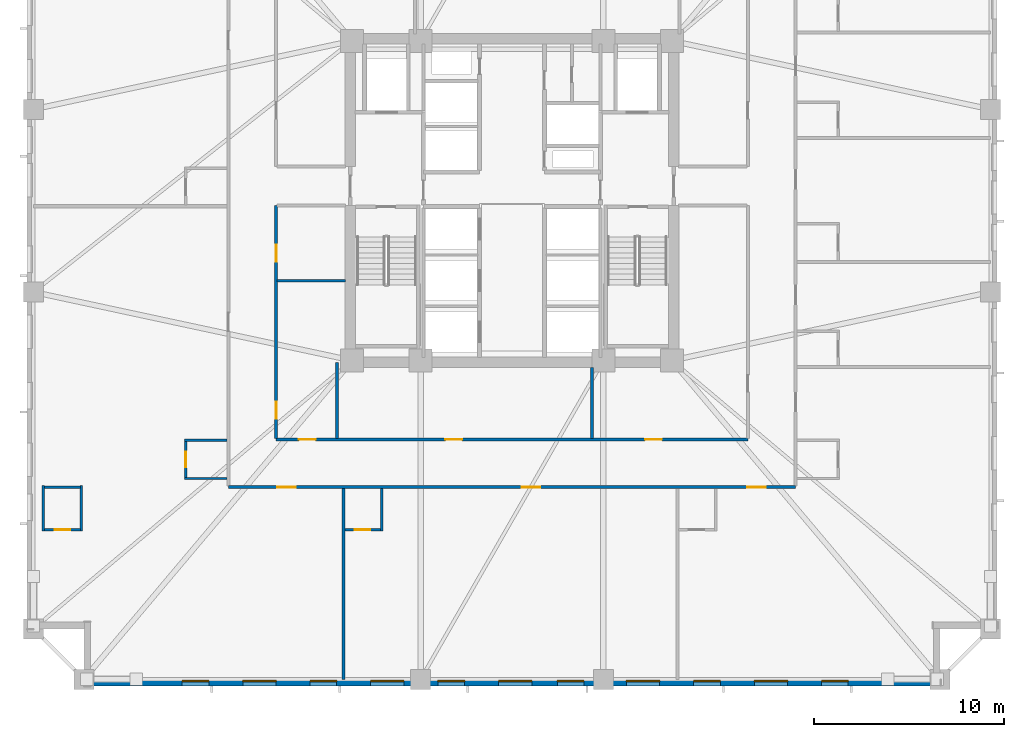
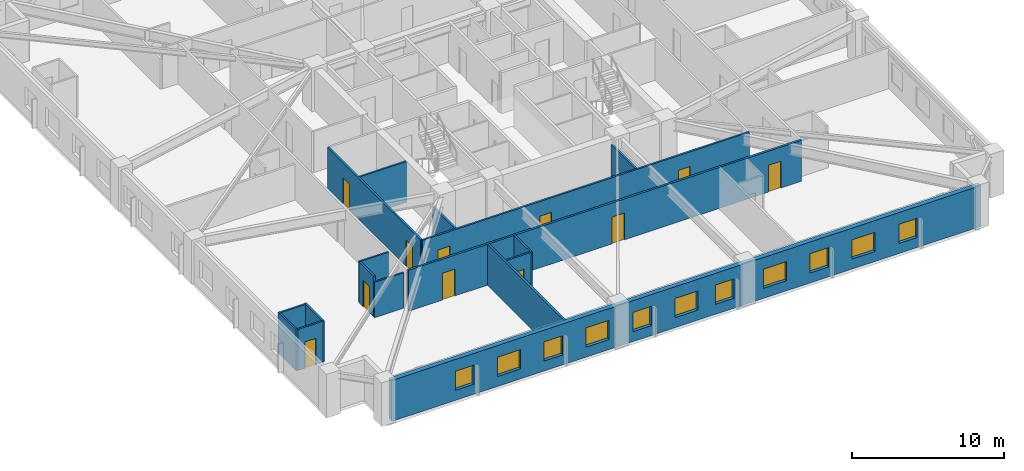
# One storey, part 2 of 12: 17 walls, 11 doors, 11 windows, 22 openings.
"""IFC4 building model written with IfcOpenShell, lengths in metres."""

import ifcopenshell
import ifcopenshell.guid

model = None  # the IFC model being written
_history = None  # IfcOwnerHistory: only IFC2X3 demands one
_inside = {}  # id of a spatial element -> (the spatial element, [elements in it])
_under = {}  # id of a project, library or spatial element -> (it, [spatial elements below it])
_declared = {}  # id of a project -> (the project, [libraries it declares])
_typed = {}  # id of a type object -> (the type object, [elements of that type])
_made_of = {}  # id of a material, layer set ... -> (it, [elements and type objects made of it])


def new_model(schema):
    """Start an empty IFC model of exactly this schema.

    Asked for "IFC4X3", IfcOpenShell would pick the latest addendum, in which some entities
    have other attributes; the version numbers below select the first issue.
    IFC2X3 requires an IfcOwnerHistory on every rooted entity: one is made here for all.
    """
    global model, _history
    if schema == "IFC4X3":
        model = ifcopenshell.file(schema_version=(4, 3, 0, 0))
    else:
        model = ifcopenshell.file(schema=schema)
    _inside.clear()
    _under.clear()
    _declared.clear()
    _typed.clear()
    _made_of.clear()
    _history = None
    if model.schema == "IFC2X3":
        org = make("IfcOrganization", Name="unknown")
        user = make(
            "IfcPersonAndOrganization",
            ThePerson=make("IfcPerson", FamilyName="unknown"),
            TheOrganization=org,
        )
        app = make(
            "IfcApplication",
            ApplicationDeveloper=org,
            Version="unknown",
            ApplicationFullName="unknown",
            ApplicationIdentifier="unknown",
        )
        _history = make(
            "IfcOwnerHistory",
            OwningUser=user,
            OwningApplication=app,
            ChangeAction="ADDED",
            CreationDate=0,
        )
    return model


def make(cls, **values):
    """One entity of the class cls with the attributes given. An attribute that is None is left unset."""
    return model.create_entity(
        cls, **{name: value for name, value in values.items() if value is not None}
    )


def rooted(cls, **values):
    """An entity with a GlobalId (a new one), such as an element, a storey or a relation."""
    return make(cls, GlobalId=ifcopenshell.guid.new(), OwnerHistory=_history, **values)


def si_unit(unit_type, name, prefix=None):
    """IfcSIUnit, for example si_unit("LENGTHUNIT", "METRE", prefix="MILLI")."""
    return make("IfcSIUnit", UnitType=unit_type, Prefix=prefix, Name=name)


def assignment(units):
    """IfcUnitAssignment: the units of a project."""
    return None if units is None else make("IfcUnitAssignment", Units=units)


def point(xyz):
    """IfcCartesianPoint."""
    return None if xyz is None else make("IfcCartesianPoint", Coordinates=xyz)


def direction(xyz):
    """IfcDirection."""
    return None if xyz is None else make("IfcDirection", DirectionRatios=xyz)


def frame(location, z_axis=None, x_axis=None):
    """IfcAxis2Placement3D, a coordinate frame: its origin and axes. An axis left out is left unset."""
    return make(
        "IfcAxis2Placement3D",
        Location=point(location),
        Axis=direction(z_axis),
        RefDirection=direction(x_axis),
    )


def frame_2d(location, x_axis=None):
    """IfcAxis2Placement2D, a coordinate frame in the plane: its origin and x axis."""
    return make(
        "IfcAxis2Placement2D", Location=point(location), RefDirection=direction(x_axis)
    )


def origin():
    """The frame at (0, 0, 0) with its axes left unset."""
    return frame((0.0, 0.0, 0.0))


def place(relative_to, where):
    """IfcLocalPlacement: puts the frame where relative to a parent placement (None: the world)."""
    return make(
        "IfcLocalPlacement", PlacementRelTo=relative_to, RelativePlacement=where
    )


def context(
    kind, dimensions, precision=None, world=None, true_north=None, identifier=None
):
    """IfcGeometricRepresentationContext, for example the 3D "Model" context."""
    return make(
        "IfcGeometricRepresentationContext",
        ContextIdentifier=identifier,
        ContextType=kind,
        CoordinateSpaceDimension=dimensions,
        Precision=precision,
        WorldCoordinateSystem=world,
        TrueNorth=true_north,
    )


def subcontext(parent, identifier, kind, view, scale=None):
    """IfcGeometricRepresentationSubContext, for example "Body" below "Model"."""
    return make(
        "IfcGeometricRepresentationSubContext",
        ContextIdentifier=identifier,
        ContextType=kind,
        ParentContext=parent,
        TargetScale=scale,
        TargetView=view,
    )


def project(units=None, contexts=None):
    """IfcProject with its units and contexts."""
    return rooted(
        "IfcProject",
        Name="project",
        RepresentationContexts=contexts,
        UnitsInContext=assignment(units),
    )


def spatial(cls, under=None, at=None, **own):
    """A site, building, storey or space (cls), placed at a placement, below another one or the project."""
    s = rooted(cls, ObjectPlacement=at, **own)
    if under is not None:
        _under.setdefault(under.id(), (under, []))[1].append(s)
    return s


def profile(cls, at=None, kind="AREA", **sizes):
    """A parametric profile (cls). Its sizes go by their IFC names, for example OverallWidth=200.0."""
    return make(cls, ProfileType=kind, Position=at, **sizes)


def rectangle(**sizes):
    """IfcRectangleProfileDef."""
    return profile("IfcRectangleProfileDef", **sizes)


def extrude(swept, where, along, depth):
    """IfcExtrudedAreaSolid: the profile swept, set in the frame where, extruded along a direction by depth."""
    return make(
        "IfcExtrudedAreaSolid",
        SweptArea=swept,
        Position=where,
        ExtrudedDirection=direction(along),
        Depth=depth,
    )


def shape(context_of_items, identifier, shape_type, items):
    """IfcShapeRepresentation: the items that make up one representation, for example the "Body"."""
    return make(
        "IfcShapeRepresentation",
        ContextOfItems=context_of_items,
        RepresentationIdentifier=identifier,
        RepresentationType=shape_type,
        Items=items,
    )


def material(Name=None, Category=None):
    """IfcMaterial."""
    return make("IfcMaterial", Name=Name, Category=Category)


def layer(
    of_material, thickness, ventilated=None, Name=None, Category=None, Priority=None
):
    """IfcMaterialLayer: one layer of a wall or slab, of a material (None: an air gap)."""
    return make(
        "IfcMaterialLayer",
        Material=of_material,
        LayerThickness=thickness,
        IsVentilated=ventilated,
        Name=Name,
        Category=Category,
        Priority=Priority,
    )


def layer_set(layers, Name=None):
    """IfcMaterialLayerSet."""
    return make("IfcMaterialLayerSet", MaterialLayers=layers, LayerSetName=Name)


def made_of(thing, what):
    """Note that an element or type object is made of a material, layer set ...; save() writes the relation."""
    if what is not None:
        _made_of.setdefault(what.id(), (what, []))[1].append(thing)
    return thing


def type_object(cls, material=None, **own):
    """A type object (cls), such as IfcWallType, which elements share."""
    return made_of(rooted(cls, **own), material)


def element(
    cls,
    number,
    at=None,
    inside=None,
    cuts=None,
    type_object=None,
    material=None,
    context=None,
    identifier="Body",
    shape_type=None,
    held_by="IfcProductDefinitionShape",
    body=None,
    shapes=None,
    **own,
):
    """One element of the class cls, such as IfcWall. Its Tag is "e" and its number.

    at: its placement. inside: the storey or other place that contains it. cuts: it is an
    opening in that element (IfcRelVoidsElement). A single representation is given by context,
    identifier, shape_type and body (its items); several are given by shapes. held_by: the class
    of the entity that holds the representations. save() writes the other relations.
    """
    e = rooted(cls, Tag="e%d" % number, ObjectPlacement=at, **own)
    if body is not None:
        shapes = [shape(context, identifier, shape_type, body)]
    if shapes is not None:
        e.Representation = make(held_by, Representations=shapes)
    if inside is not None:
        _inside.setdefault(inside.id(), (inside, []))[1].append(e)
    if cuts is not None:
        rooted(
            "IfcRelVoidsElement", RelatingBuildingElement=cuts, RelatedOpeningElement=e
        )
    if type_object is not None:
        _typed.setdefault(type_object.id(), (type_object, []))[1].append(e)
    return made_of(e, material)


def fill(opening, filler):
    """IfcRelFillsElement: the door or window that sits in an opening."""
    return rooted(
        "IfcRelFillsElement",
        RelatingOpeningElement=opening,
        RelatedBuildingElement=filler,
    )


def aggregate(whole, parts):
    """IfcRelAggregates: a whole, such as a stair, and the parts it consists of."""
    return rooted("IfcRelAggregates", RelatingObject=whole, RelatedObjects=parts)


def save(model, path):
    """Write the relations noted so far, then the file.

    IfcRelAggregates (storeys below a building ...), IfcRelContainedInSpatialStructure (elements
    in a storey), IfcRelDefinesByType, IfcRelAssociatesMaterial and IfcRelDeclares: one each for
    every whole, place, type object, material and project.
    """
    for whole, parts in _under.values():
        aggregate(whole, parts)
    for where, things in _inside.values():
        rooted(
            "IfcRelContainedInSpatialStructure",
            RelatedElements=things,
            RelatingStructure=where,
        )
    for kind, things in _typed.values():
        rooted("IfcRelDefinesByType", RelatedObjects=things, RelatingType=kind)
    for what, things in _made_of.values():
        rooted("IfcRelAssociatesMaterial", RelatedObjects=things, RelatingMaterial=what)
    for by, libraries in _declared.values():
        rooted("IfcRelDeclares", RelatingContext=by, RelatedDefinitions=libraries)
    model.write(path)


model = new_model("IFC4")

# Units and contexts
model_context = context("Model", 3, precision=1e-05, world=origin(), true_north=direction((0.0, 1.0)))
body_context = subcontext(model_context, "Body", "Model", "MODEL_VIEW")
ifc_project = project(units=[si_unit("LENGTHUNIT", "METRE"), si_unit("AREAUNIT", "SQUARE_METRE"), si_unit("VOLUMEUNIT", "CUBIC_METRE"), si_unit("PLANEANGLEUNIT", "RADIAN"), si_unit("MASSUNIT", "GRAM", prefix="KILO")], contexts=[model_context])

# Site, building, storey
site_placement = place(None, origin())
site = spatial("IfcSite", under=ifc_project, at=site_placement, CompositionType="ELEMENT")
building_placement = place(site_placement, origin())
building = spatial("IfcBuilding", under=site, at=building_placement, Name="Cairnveth Concourse Tower", CompositionType="ELEMENT")
storey_placement = place(building_placement, frame((0.0, 0.0, 90.0)))
storey = spatial("IfcBuildingStorey", under=building, at=storey_placement, Name="L24", CompositionType="ELEMENT", Elevation=90.0)

# Wall, openings, doors
ifc_material_1 = material(Name="Gypsum Plasterboard Partition", Category="gypsum")
ifc_layer_1 = layer(ifc_material_1, 0.159912109375)
ifc_layer_set_1 = layer_set([ifc_layer_1], Name="Gypsum Plasterboard Partition")
wall_type_1 = type_object("IfcWallType", Name="ACOUSTIC PARTY WALL 180", PredefinedType="PARTITIONING", material=ifc_layer_set_1)
wall_1_placement = place(storey_placement, frame((37.10009765625, 23.949951171875, 0.0), z_axis=(0.0, 0.0, 1.0), x_axis=(1.0, 0.0, 0.0)))
wall_1 = element("IfcWall", 1, at=wall_1_placement, inside=storey, type_object=wall_type_1, Name="Interior Wall IW-L24-038", PredefinedType="PARTITIONING", context=body_context, shape_type="SweptSolid", body=[
    extrude(rectangle(XDim=29.7998046875, YDim=0.159912109375, at=frame_2d((14.89990234375, 0.0))), origin(), (0.0, 0.0, 1.0), 3.280029296875),
])
opening_1_placement = place(wall_1_placement, frame((2.5712890625, 0.0, 0.0)))
opening_1 = element("IfcOpeningElement", 2, at=opening_1_placement, cuts=wall_1, Name="Opening ID09", PredefinedType="OPENING", context=body_context, shape_type="SweptSolid", body=[
    extrude(rectangle(XDim=0.9599609375, YDim=2.14990234375, at=frame_2d((0.47998046875, 1.074951171875))), frame((0.0, 0.08984375, 0.0), z_axis=(0.0, -1.0, 0.0), x_axis=(1.0, 0.0, 0.0)), (0.0, 0.0, 1.0), 0.179931640625),
])
opening_2_placement = place(wall_1_placement, frame((15.419921875, 0.0, 0.0)))
opening_2 = element("IfcOpeningElement", 3, at=opening_2_placement, cuts=wall_1, Name="Opening ID09", PredefinedType="OPENING", context=body_context, shape_type="SweptSolid", body=[
    extrude(rectangle(XDim=0.9599609375, YDim=2.14990234375, at=frame_2d((0.47998046875, 1.074951171875))), frame((0.0, 0.08984375, 0.0), z_axis=(0.0, -1.0, 0.0), x_axis=(1.0, 0.0, 0.0)), (0.0, 0.0, 1.0), 0.179931640625),
])
opening_3_placement = place(wall_1_placement, frame((27.268798828125, 0.0, 0.0)))
opening_3 = element("IfcOpeningElement", 4, at=opening_3_placement, cuts=wall_1, Name="Opening ID09", PredefinedType="OPENING", context=body_context, shape_type="SweptSolid", body=[
    extrude(rectangle(XDim=0.9599609375, YDim=2.14990234375, at=frame_2d((0.47998046875, 1.074951171875))), frame((0.0, 0.08984375, 0.0), z_axis=(0.0, -1.0, 0.0), x_axis=(1.0, 0.0, 0.0)), (0.0, 0.0, 1.0), 0.179931640625),
])
ifc_material_2 = material(Name="Solid Core Hardwood Timber Leaf", Category="wood")
door_type_1 = type_object("IfcDoorType", Name="HOTEL ENTRANCE DOOR 960X2150", OperationType="NOTDEFINED", PredefinedType="DOOR", material=ifc_material_2)
door_1_placement = place(opening_1_placement, origin())
door_1 = element("IfcDoor", 5, at=door_1_placement, inside=storey, type_object=door_type_1, Name="Hotel Room Door L24-S1", OperationType="SINGLE_SWING_RIGHT", OverallHeight=2.14990234375, OverallWidth=0.9599609375, PredefinedType="DOOR", context=body_context, shape_type="SweptSolid", body=[
    extrude(rectangle(XDim=0.9599609375, YDim=2.14990234375, at=frame_2d((0.47998046875, 1.074951171875))), frame((0.0, 0.02490234375, 0.0), z_axis=(0.0, -1.0, 0.0), x_axis=(1.0, 0.0, 0.0)), (0.0, 0.0, 1.0), 0.050048828125),
])
fill(opening_1, door_1)
door_2_placement = place(opening_2_placement, origin())
door_2 = element("IfcDoor", 6, at=door_2_placement, inside=storey, type_object=door_type_1, Name="Hotel Room Door L24-S2", OperationType="SINGLE_SWING_RIGHT", OverallHeight=2.14990234375, OverallWidth=0.9599609375, PredefinedType="DOOR", context=body_context, shape_type="SweptSolid", body=[
    extrude(rectangle(XDim=0.9599609375, YDim=2.14990234375, at=frame_2d((0.47998046875, 1.074951171875))), frame((0.0, 0.02490234375, 0.0), z_axis=(0.0, -1.0, 0.0), x_axis=(1.0, 0.0, 0.0)), (0.0, 0.0, 1.0), 0.050048828125),
])
fill(opening_2, door_2)
door_3_placement = place(opening_3_placement, origin())
door_3 = element("IfcDoor", 7, at=door_3_placement, inside=storey, type_object=door_type_1, Name="Hotel Room Door L24-S3", OperationType="SINGLE_SWING_RIGHT", OverallHeight=2.14990234375, OverallWidth=0.9599609375, PredefinedType="DOOR", context=body_context, shape_type="SweptSolid", body=[
    extrude(rectangle(XDim=0.9599609375, YDim=2.14990234375, at=frame_2d((0.47998046875, 1.074951171875))), frame((0.0, 0.02490234375, 0.0), z_axis=(0.0, -1.0, 0.0), x_axis=(1.0, 0.0, 0.0)), (0.0, 0.0, 1.0), 0.050048828125),
])
fill(opening_3, door_3)

# Wall
wall_2_placement = place(storey_placement, frame((43.152587890625, 13.844970703125, 0.0), z_axis=(0.0, 0.0, 1.0), x_axis=(0.0, 1.0, 0.0)))
element("IfcWall", 8, at=wall_2_placement, inside=storey, type_object=wall_type_1, Name="Interior Wall IW-L24-061", PredefinedType="PARTITIONING", context=body_context, shape_type="SweptSolid", body=[
    extrude(rectangle(XDim=10.0400390625, YDim=0.159912109375, at=frame_2d((5.02001953125, 0.0))), origin(), (0.0, 0.0, 1.0), 3.280029296875),
])

# Wall, openings, doors
ifc_layer_2 = layer(ifc_material_1, 0.139892578125)
ifc_layer_set_2 = layer_set([ifc_layer_2], Name="Gypsum Plasterboard Partition")
wall_type_2 = type_object("IfcWallType", Name="GYPSUM STUD PARTITION 140", PredefinedType="PARTITIONING", material=ifc_layer_set_2)
wall_3_placement = place(storey_placement, frame((39.60009765625, 26.449951171875, 0.0), z_axis=(0.0, 0.0, 1.0), x_axis=(1.0, 0.0, 0.0)))
wall_3 = element("IfcWall", 9, at=wall_3_placement, inside=storey, type_object=wall_type_2, Name="Interior Wall IW-L24-042", PredefinedType="PARTITIONING", context=body_context, shape_type="SweptSolid", body=[
    extrude(rectangle(XDim=24.7998046875, YDim=0.139892578125, at=frame_2d((12.39990234375, 0.0))), origin(), (0.0, 0.0, 1.0), 3.280029296875),
])
opening_4_placement = place(wall_3_placement, frame((1.199951171875, 0.0, 0.0)))
opening_4 = element("IfcOpeningElement", 10, at=opening_4_placement, cuts=wall_3, Name="Opening ID18", PredefinedType="OPENING", context=body_context, shape_type="SweptSolid", body=[
    extrude(rectangle(XDim=0.8798828125, YDim=2.10009765625, at=frame_2d((0.43994140625, 1.050048828125))), frame((0.0, 0.079833984375, 0.0), z_axis=(0.0, -1.0, 0.0), x_axis=(1.0, 0.0, 0.0)), (0.0, 0.0, 1.0), 0.159912109375),
])
opening_5_placement = place(wall_3_placement, frame((8.89990234375, 0.0, 0.0)))
opening_5 = element("IfcOpeningElement", 11, at=opening_5_placement, cuts=wall_3, Name="Opening ID18", PredefinedType="OPENING", context=body_context, shape_type="SweptSolid", body=[
    extrude(rectangle(XDim=0.8798828125, YDim=2.10009765625, at=frame_2d((0.43994140625, 1.050048828125))), frame((0.0, 0.079833984375, 0.0), z_axis=(0.0, -1.0, 0.0), x_axis=(1.0, 0.0, 0.0)), (0.0, 0.0, 1.0), 0.159912109375),
])
opening_6_placement = place(wall_3_placement, frame((19.39990234375, 0.0, 0.0)))
opening_6 = element("IfcOpeningElement", 12, at=opening_6_placement, cuts=wall_3, Name="Opening ID18", PredefinedType="OPENING", context=body_context, shape_type="SweptSolid", body=[
    extrude(rectangle(XDim=0.8798828125, YDim=2.10009765625, at=frame_2d((0.43994140625, 1.050048828125))), frame((0.0, 0.079833984375, 0.0), z_axis=(0.0, -1.0, 0.0), x_axis=(1.0, 0.0, 0.0)), (0.0, 0.0, 1.0), 0.159912109375),
])
door_type_2 = type_object("IfcDoorType", Name="INTERIOR SINGLE DOOR 880X2100", OperationType="NOTDEFINED", PredefinedType="DOOR", material=ifc_material_2)
door_4_placement = place(opening_4_placement, origin())
door_4 = element("IfcDoor", 13, at=door_4_placement, inside=storey, type_object=door_type_2, Name="Interior Door DR-L24-014", OperationType="SINGLE_SWING_RIGHT", OverallHeight=2.10009765625, OverallWidth=0.8798828125, PredefinedType="DOOR", context=body_context, shape_type="SweptSolid", body=[
    extrude(rectangle(XDim=0.8798828125, YDim=2.10009765625, at=frame_2d((0.43994140625, 1.050048828125))), frame((0.0, 0.02490234375, 0.0), z_axis=(0.0, -1.0, 0.0), x_axis=(1.0, 0.0, 0.0)), (0.0, 0.0, 1.0), 0.050048828125),
])
fill(opening_4, door_4)
door_5_placement = place(opening_5_placement, origin())
door_5 = element("IfcDoor", 14, at=door_5_placement, inside=storey, type_object=door_type_2, Name="Interior Door DR-L24-015", OperationType="SINGLE_SWING_LEFT", OverallHeight=2.10009765625, OverallWidth=0.8798828125, PredefinedType="DOOR", context=body_context, shape_type="SweptSolid", body=[
    extrude(rectangle(XDim=0.8798828125, YDim=2.10009765625, at=frame_2d((0.43994140625, 1.050048828125))), frame((0.0, 0.02490234375, 0.0), z_axis=(0.0, -1.0, 0.0), x_axis=(1.0, 0.0, 0.0)), (0.0, 0.0, 1.0), 0.050048828125),
])
fill(opening_5, door_5)
door_6_placement = place(opening_6_placement, origin())
door_6 = element("IfcDoor", 15, at=door_6_placement, inside=storey, type_object=door_type_2, Name="Interior Door DR-L24-016", OperationType="SINGLE_SWING_RIGHT", OverallHeight=2.10009765625, OverallWidth=0.8798828125, PredefinedType="DOOR", context=body_context, shape_type="SweptSolid", body=[
    extrude(rectangle(XDim=0.8798828125, YDim=2.10009765625, at=frame_2d((0.43994140625, 1.050048828125))), frame((0.0, 0.02490234375, 0.0), z_axis=(0.0, -1.0, 0.0), x_axis=(1.0, 0.0, 0.0)), (0.0, 0.0, 1.0), 0.050048828125),
])
fill(opening_6, door_6)

wall_4_placement = place(storey_placement, frame((39.60009765625, 26.5048828125, 0.0), z_axis=(0.0, 0.0, 1.0), x_axis=(0.0, 1.0, 0.0)))
wall_4 = element("IfcWall", 16, at=wall_4_placement, inside=storey, type_object=wall_type_2, Name="Interior Wall IW-L24-044", PredefinedType="PARTITIONING", context=body_context, shape_type="SweptSolid", body=[
    extrude(rectangle(XDim=12.2451171875, YDim=0.139892578125, at=frame_2d((6.12255859375, 0.0))), origin(), (0.0, 0.0, 1.0), 3.280029296875),
])
opening_7_placement = place(wall_4_placement, frame((1.044921875, 0.0, 0.0)))
opening_7 = element("IfcOpeningElement", 17, at=opening_7_placement, cuts=wall_4, Name="Opening ID18", PredefinedType="OPENING", context=body_context, shape_type="SweptSolid", body=[
    extrude(rectangle(XDim=0.8798828125, YDim=2.10009765625, at=frame_2d((0.43994140625, 1.050048828125))), frame((0.0, 0.079833984375, 0.0), z_axis=(0.0, -1.0, 0.0), x_axis=(1.0, 0.0, 0.0)), (0.0, 0.0, 1.0), 0.159912109375),
])
opening_8_placement = place(wall_4_placement, frame((9.294921875, 0.0, 0.0)))
opening_8 = element("IfcOpeningElement", 18, at=opening_8_placement, cuts=wall_4, Name="Opening ID18", PredefinedType="OPENING", context=body_context, shape_type="SweptSolid", body=[
    extrude(rectangle(XDim=0.8798828125, YDim=2.10009765625, at=frame_2d((0.43994140625, 1.050048828125))), frame((0.0, 0.079833984375, 0.0), z_axis=(0.0, -1.0, 0.0), x_axis=(1.0, 0.0, 0.0)), (0.0, 0.0, 1.0), 0.159912109375),
])
door_7_placement = place(opening_7_placement, origin())
door_7 = element("IfcDoor", 19, at=door_7_placement, inside=storey, type_object=door_type_2, Name="Interior Door DR-L24-020", OperationType="SINGLE_SWING_RIGHT", OverallHeight=2.10009765625, OverallWidth=0.8798828125, PredefinedType="DOOR", context=body_context, shape_type="SweptSolid", body=[
    extrude(rectangle(XDim=0.8798828125, YDim=2.10009765625, at=frame_2d((0.43994140625, 1.050048828125))), frame((0.0, 0.02490234375, 0.0), z_axis=(0.0, -1.0, 0.0), x_axis=(1.0, 0.0, 0.0)), (0.0, 0.0, 1.0), 0.050048828125),
])
fill(opening_7, door_7)
door_8_placement = place(opening_8_placement, origin())
door_8 = element("IfcDoor", 20, at=door_8_placement, inside=storey, type_object=door_type_2, Name="Interior Door DR-L24-021", OperationType="SINGLE_SWING_LEFT", OverallHeight=2.10009765625, OverallWidth=0.8798828125, PredefinedType="DOOR", context=body_context, shape_type="SweptSolid", body=[
    extrude(rectangle(XDim=0.8798828125, YDim=2.10009765625, at=frame_2d((0.43994140625, 1.050048828125))), frame((0.0, 0.02490234375, 0.0), z_axis=(0.0, -1.0, 0.0), x_axis=(1.0, 0.0, 0.0)), (0.0, 0.0, 1.0), 0.050048828125),
])
fill(opening_8, door_8)

# Walls
wall_5_placement = place(storey_placement, frame((42.800048828125, 26.5048828125, 0.0), z_axis=(0.0, 0.0, 1.0), x_axis=(0.0, 1.0, 0.0)))
element("IfcWall", 21, at=wall_5_placement, inside=storey, type_object=wall_type_2, Name="Interior Wall IW-L24-052", PredefinedType="PARTITIONING", context=body_context, shape_type="SweptSolid", body=[
    extrude(rectangle(XDim=3.9951171875, YDim=0.139892578125, at=frame_2d((1.99755859375, 0.0))), origin(), (0.0, 0.0, 1.0), 2.43896484375),
])
wall_6_placement = place(storey_placement, frame((56.199951171875, 26.5048828125, 0.0), z_axis=(0.0, 0.0, 1.0), x_axis=(0.0, 1.0, 0.0)))
element("IfcWall", 22, at=wall_6_placement, inside=storey, type_object=wall_type_2, Name="Interior Wall IW-L24-053", PredefinedType="PARTITIONING", context=body_context, shape_type="SweptSolid", body=[
    extrude(rectangle(XDim=3.735107421875, YDim=0.139892578125, at=frame_2d((1.86767578125, 0.0))), origin(), (0.0, 0.0, 1.0), 2.84912109375),
])
wall_7_placement = place(storey_placement, frame((39.655029296875, 34.800048828125, 0.0), z_axis=(0.0, 0.0, 1.0), x_axis=(1.0, 0.0, 0.0)))
element("IfcWall", 23, at=wall_7_placement, inside=storey, type_object=wall_type_2, Name="Interior Wall IW-L24-056", PredefinedType="PARTITIONING", context=body_context, shape_type="SweptSolid", body=[
    extrude(rectangle(XDim=3.5849609375, YDim=0.139892578125, at=frame_2d((1.79248046875, 0.0))), origin(), (0.0, 0.0, 1.0), 3.280029296875),
])
ifc_layer_3 = layer(ifc_material_1, 0.1298828125)
ifc_layer_set_3 = layer_set([ifc_layer_3], Name="Gypsum Plasterboard Partition")
wall_type_3 = type_object("IfcWallType", Name="WET AREA PARTITION 140", PredefinedType="PLUMBINGWALL", material=ifc_layer_set_3)
for number, where, z_axis, x_axis, name in (
    (24, (27.3701171875, 21.64990234375, 0.0), (0.0, 0.0, 1.0), (0.0, 1.0, 0.0), "Interior Wall IW-L24-057"),
    (25, (29.3701171875, 21.64990234375, 0.0), (0.0, 0.0, 1.0), (0.0, 1.0, 0.0), "Interior Wall IW-L24-058"),
):
    element("IfcWall", number, at=place(storey_placement, frame(where, z_axis=z_axis, x_axis=x_axis)), inside=storey, type_object=wall_type_3, Name=name, PredefinedType="PLUMBINGWALL", context=body_context, shape_type="SweptSolid", body=[
        extrude(rectangle(XDim=2.380126953125, YDim=0.1298828125, at=frame_2d((1.18994140625, 0.0))), origin(), (0.0, 0.0, 1.0), 3.280029296875),
    ])

# Wall, opening, door
wall_8_placement = place(storey_placement, frame((27.419921875, 21.699951171875, 0.0), z_axis=(0.0, 0.0, 1.0), x_axis=(1.0, 0.0, 0.0)))
wall_8 = element("IfcWall", 26, at=wall_8_placement, inside=storey, type_object=wall_type_3, Name="Interior Wall IW-L24-059", PredefinedType="PLUMBINGWALL", context=body_context, shape_type="SweptSolid", body=[
    extrude(rectangle(XDim=1.900146484375, YDim=0.1298828125, at=frame_2d((0.9501953125, 0.0))), origin(), (0.0, 0.0, 1.0), 3.280029296875),
])
opening_9_placement = place(wall_8_placement, frame((0.5400390625, 0.0, 0.0)))
opening_9 = element("IfcOpeningElement", 27, at=opening_9_placement, cuts=wall_8, Name="Opening ID22", PredefinedType="OPENING", context=body_context, shape_type="SweptSolid", body=[
    extrude(rectangle(XDim=0.820068359375, YDim=2.10009765625, at=frame_2d((0.41015625, 1.050048828125))), frame((0.0, 0.074951171875, 0.0), z_axis=(0.0, -1.0, 0.0), x_axis=(1.0, 0.0, 0.0)), (0.0, 0.0, 1.0), 0.14990234375),
])
door_type_3 = type_object("IfcDoorType", Name="INTERIOR WC DOOR 820X2100", OperationType="NOTDEFINED", PredefinedType="DOOR", material=ifc_material_2)
door_9_placement = place(opening_9_placement, origin())
door_9 = element("IfcDoor", 28, at=door_9_placement, inside=storey, type_object=door_type_3, Name="En-Suite Door L24-S1", OperationType="SINGLE_SWING_LEFT", OverallHeight=2.10009765625, OverallWidth=0.820068359375, PredefinedType="DOOR", context=body_context, shape_type="SweptSolid", body=[
    extrude(rectangle(XDim=0.820068359375, YDim=2.10009765625, at=frame_2d((0.41015625, 1.050048828125))), frame((0.0, 0.02490234375, 0.0), z_axis=(0.0, -1.0, 0.0), x_axis=(1.0, 0.0, 0.0)), (0.0, 0.0, 1.0), 0.050048828125),
])
fill(opening_9, door_9)

# Walls
wall_9_placement = place(storey_placement, frame((27.419921875, 23.949951171875, 0.0), z_axis=(0.0, 0.0, 1.0), x_axis=(1.0, 0.0, 0.0)))
element("IfcWall", 29, at=wall_9_placement, inside=storey, type_object=wall_type_3, Name="Interior Wall IW-L24-060", PredefinedType="PLUMBINGWALL", context=body_context, shape_type="SweptSolid", body=[
    extrude(rectangle(XDim=1.900146484375, YDim=0.1298828125, at=frame_2d((0.9501953125, 0.0))), origin(), (0.0, 0.0, 1.0), 3.280029296875),
])
wall_10_placement = place(storey_placement, frame((45.152587890625, 21.64990234375, 0.0), z_axis=(0.0, 0.0, 1.0), x_axis=(0.0, 1.0, 0.0)))
element("IfcWall", 30, at=wall_10_placement, inside=storey, type_object=wall_type_3, Name="Interior Wall IW-L24-062", PredefinedType="PLUMBINGWALL", context=body_context, shape_type="SweptSolid", body=[
    extrude(rectangle(XDim=2.235107421875, YDim=0.1298828125, at=frame_2d((1.11767578125, 0.0))), origin(), (0.0, 0.0, 1.0), 3.280029296875),
])

# Wall, opening, door
wall_11_placement = place(storey_placement, frame((43.217529296875, 21.699951171875, 0.0), z_axis=(0.0, 0.0, 1.0), x_axis=(1.0, 0.0, 0.0)))
wall_11 = element("IfcWall", 31, at=wall_11_placement, inside=storey, type_object=wall_type_3, Name="Interior Wall IW-L24-063", PredefinedType="PLUMBINGWALL", context=body_context, shape_type="SweptSolid", body=[
    extrude(rectangle(XDim=1.885009765625, YDim=0.1298828125, at=frame_2d((0.9423828125, 0.0))), origin(), (0.0, 0.0, 1.0), 3.280029296875),
])
opening_10_placement = place(wall_11_placement, frame((0.52490234375, 0.0, 0.0)))
opening_10 = element("IfcOpeningElement", 32, at=opening_10_placement, cuts=wall_11, Name="Opening ID22", PredefinedType="OPENING", context=body_context, shape_type="SweptSolid", body=[
    extrude(rectangle(XDim=0.820068359375, YDim=2.10009765625, at=frame_2d((0.41015625, 1.050048828125))), frame((0.0, 0.074951171875, 0.0), z_axis=(0.0, -1.0, 0.0), x_axis=(1.0, 0.0, 0.0)), (0.0, 0.0, 1.0), 0.14990234375),
])
door_10_placement = place(opening_10_placement, origin())
door_10 = element("IfcDoor", 33, at=door_10_placement, inside=storey, type_object=door_type_3, Name="En-Suite Door L24-S2", OperationType="SINGLE_SWING_LEFT", OverallHeight=2.10009765625, OverallWidth=0.820068359375, PredefinedType="DOOR", context=body_context, shape_type="SweptSolid", body=[
    extrude(rectangle(XDim=0.820068359375, YDim=2.10009765625, at=frame_2d((0.41015625, 1.050048828125))), frame((0.0, 0.02490234375, 0.0), z_axis=(0.0, -1.0, 0.0), x_axis=(1.0, 0.0, 0.0)), (0.0, 0.0, 1.0), 0.050048828125),
])
fill(opening_10, door_10)

# Walls
wall_12_placement = place(storey_placement, frame((34.800048828125, 24.39990234375, 0.0), z_axis=(0.0, 0.0, 1.0), x_axis=(1.0, 0.0, 0.0)))
element("IfcWall", 34, at=wall_12_placement, inside=storey, type_object=wall_type_3, Name="Interior Wall IW-L24-089", PredefinedType="PLUMBINGWALL", context=body_context, shape_type="SweptSolid", body=[
    extrude(rectangle(XDim=2.23486328125, YDim=0.1298828125, at=frame_2d((1.117431640625, 0.0))), origin(), (0.0, 0.0, 1.0), 2.84912109375),
])
wall_13_placement = place(storey_placement, frame((34.800048828125, 26.39990234375, 0.0), z_axis=(0.0, 0.0, 1.0), x_axis=(1.0, 0.0, 0.0)))
element("IfcWall", 35, at=wall_13_placement, inside=storey, type_object=wall_type_3, Name="Interior Wall IW-L24-090", PredefinedType="PLUMBINGWALL", context=body_context, shape_type="SweptSolid", body=[
    extrude(rectangle(XDim=2.23486328125, YDim=0.1298828125, at=frame_2d((1.117431640625, 0.0))), origin(), (0.0, 0.0, 1.0), 3.280029296875),
])

# Wall, opening, door
wall_14_placement = place(storey_placement, frame((34.85009765625, 24.449951171875, 0.0), z_axis=(0.0, 0.0, 1.0), x_axis=(0.0, 1.0, 0.0)))
wall_14 = element("IfcWall", 36, at=wall_14_placement, inside=storey, type_object=wall_type_3, Name="Interior Wall IW-L24-091", PredefinedType="PLUMBINGWALL", context=body_context, shape_type="SweptSolid", body=[
    extrude(rectangle(XDim=1.900146484375, YDim=0.1298828125, at=frame_2d((0.9501953125, 0.0))), origin(), (0.0, 0.0, 1.0), 3.280029296875),
])
opening_11_placement = place(wall_14_placement, frame((0.5400390625, 0.0, 0.0)))
opening_11 = element("IfcOpeningElement", 37, at=opening_11_placement, cuts=wall_14, Name="Opening ID22", PredefinedType="OPENING", context=body_context, shape_type="SweptSolid", body=[
    extrude(rectangle(XDim=0.820068359375, YDim=2.10009765625, at=frame_2d((0.41015625, 1.050048828125))), frame((0.0, 0.074951171875, 0.0), z_axis=(0.0, -1.0, 0.0), x_axis=(1.0, 0.0, 0.0)), (0.0, 0.0, 1.0), 0.14990234375),
])
door_11_placement = place(opening_11_placement, origin())
door_11 = element("IfcDoor", 38, at=door_11_placement, inside=storey, type_object=door_type_3, Name="En-Suite Door L24-W1", OperationType="SINGLE_SWING_LEFT", OverallHeight=2.10009765625, OverallWidth=0.820068359375, PredefinedType="DOOR", context=body_context, shape_type="SweptSolid", body=[
    extrude(rectangle(XDim=0.820068359375, YDim=2.10009765625, at=frame_2d((0.41015625, 1.050048828125))), frame((0.0, 0.02490234375, 0.0), z_axis=(0.0, -1.0, 0.0), x_axis=(1.0, 0.0, 0.0)), (0.0, 0.0, 1.0), 0.050048828125),
])
fill(opening_11, door_11)

# Wall, openings, windows
ifc_material_3 = material(Name="Hawthorn Red-Ochre Fired Clay Brick Masonry", Category="masonry")
ifc_layer_4 = layer(ifc_material_3, 0.360107421875)
ifc_layer_set_4 = layer_set([ifc_layer_4], Name="Hawthorn Red-Ochre Fired Clay Brick Masonry")
wall_type_4 = type_object("IfcWallType", Name="ZONE 1 BRICK PIER SPANDREL WALL 360", PredefinedType="SOLIDWALL", material=ifc_layer_set_4)
wall_15_placement = place(storey_placement, frame((74.5, 13.679931640625, 0.0), z_axis=(0.0, 0.0, 1.0), x_axis=(-1.0, 0.0, 0.0)))
wall_15 = element("IfcWall", 39, at=wall_15_placement, inside=storey, type_object=wall_type_4, Name="Exterior Wall EW-L24-S06", PredefinedType="SOLIDWALL", context=body_context, shape_type="SweptSolid", body=[
    extrude(rectangle(XDim=44.662109375, YDim=0.360107421875, at=frame_2d((22.3310546875, 0.0))), origin(), (0.0, 0.0, 1.0), 3.280029296875),
])
opening_12_placement = place(wall_15_placement, frame((4.830078125, 0.0, 0.800048828125)))
opening_12 = element("IfcOpeningElement", 40, at=opening_12_placement, cuts=wall_15, Name="Opening W05", PredefinedType="OPENING", context=body_context, shape_type="SweptSolid", body=[
    extrude(rectangle(XDim=1.39990234375, YDim=1.5439453125, at=frame_2d((0.699951171875, 0.77197265625))), frame((0.0, 0.18994140625, 0.0), z_axis=(0.0, -1.0, 0.0), x_axis=(1.0, 0.0, 0.0)), (0.0, 0.0, 1.0), 0.380126953125),
])
opening_13_placement = place(wall_15_placement, frame((8.015380859375, 0.0, 0.800048828125)))
opening_13 = element("IfcOpeningElement", 41, at=opening_13_placement, cuts=wall_15, Name="Opening W06", PredefinedType="OPENING", context=body_context, shape_type="SweptSolid", body=[
    extrude(rectangle(XDim=1.75, YDim=1.5439453125, at=frame_2d((0.875, 0.77197265625))), frame((0.0, 0.18994140625, 0.0), z_axis=(0.0, -1.0, 0.0), x_axis=(1.0, 0.0, 0.0)), (0.0, 0.0, 1.0), 0.380126953125),
])
opening_14_placement = place(wall_15_placement, frame((11.550537109375, 0.0, 0.800048828125)))
opening_14 = element("IfcOpeningElement", 42, at=opening_14_placement, cuts=wall_15, Name="Opening W05", PredefinedType="OPENING", context=body_context, shape_type="SweptSolid", body=[
    extrude(rectangle(XDim=1.39990234375, YDim=1.5439453125, at=frame_2d((0.699951171875, 0.77197265625))), frame((0.0, 0.18994140625, 0.0), z_axis=(0.0, -1.0, 0.0), x_axis=(1.0, 0.0, 0.0)), (0.0, 0.0, 1.0), 0.380126953125),
])
opening_15_placement = place(wall_15_placement, frame((14.735595703125, 0.0, 0.800048828125)))
opening_15 = element("IfcOpeningElement", 43, at=opening_15_placement, cuts=wall_15, Name="Opening W06", PredefinedType="OPENING", context=body_context, shape_type="SweptSolid", body=[
    extrude(rectangle(XDim=1.75, YDim=1.5439453125, at=frame_2d((0.875, 0.77197265625))), frame((0.0, 0.18994140625, 0.0), z_axis=(0.0, -1.0, 0.0), x_axis=(1.0, 0.0, 0.0)), (0.0, 0.0, 1.0), 0.380126953125),
])
opening_16_placement = place(wall_15_placement, frame((18.720703125, 0.0, 0.800048828125)))
opening_16 = element("IfcOpeningElement", 44, at=opening_16_placement, cuts=wall_15, Name="Opening W05", PredefinedType="OPENING", context=body_context, shape_type="SweptSolid", body=[
    extrude(rectangle(XDim=1.39990234375, YDim=1.5439453125, at=frame_2d((0.699951171875, 0.77197265625))), frame((0.0, 0.18994140625, 0.0), z_axis=(0.0, -1.0, 0.0), x_axis=(1.0, 0.0, 0.0)), (0.0, 0.0, 1.0), 0.380126953125),
])
opening_17_placement = place(wall_15_placement, frame((21.4560546875, 0.0, 0.800048828125)))
opening_17 = element("IfcOpeningElement", 45, at=opening_17_placement, cuts=wall_15, Name="Opening W06", PredefinedType="OPENING", context=body_context, shape_type="SweptSolid", body=[
    extrude(rectangle(XDim=1.75, YDim=1.5439453125, at=frame_2d((0.875, 0.77197265625))), frame((0.0, 0.18994140625, 0.0), z_axis=(0.0, -1.0, 0.0), x_axis=(1.0, 0.0, 0.0)), (0.0, 0.0, 1.0), 0.380126953125),
])
opening_18_placement = place(wall_15_placement, frame((24.9912109375, 0.0, 0.800048828125)))
opening_18 = element("IfcOpeningElement", 46, at=opening_18_placement, cuts=wall_15, Name="Opening W05", PredefinedType="OPENING", context=body_context, shape_type="SweptSolid", body=[
    extrude(rectangle(XDim=1.39990234375, YDim=1.5439453125, at=frame_2d((0.699951171875, 0.77197265625))), frame((0.0, 0.18994140625, 0.0), z_axis=(0.0, -1.0, 0.0), x_axis=(1.0, 0.0, 0.0)), (0.0, 0.0, 1.0), 0.380126953125),
])
opening_19_placement = place(wall_15_placement, frame((28.176513671875, 0.0, 0.800048828125)))
opening_19 = element("IfcOpeningElement", 47, at=opening_19_placement, cuts=wall_15, Name="Opening W06", PredefinedType="OPENING", context=body_context, shape_type="SweptSolid", body=[
    extrude(rectangle(XDim=1.75, YDim=1.5439453125, at=frame_2d((0.875, 0.77197265625))), frame((0.0, 0.18994140625, 0.0), z_axis=(0.0, -1.0, 0.0), x_axis=(1.0, 0.0, 0.0)), (0.0, 0.0, 1.0), 0.380126953125),
])
opening_20_placement = place(wall_15_placement, frame((31.71142578125, 0.0, 0.800048828125)))
opening_20 = element("IfcOpeningElement", 48, at=opening_20_placement, cuts=wall_15, Name="Opening W05", PredefinedType="OPENING", context=body_context, shape_type="SweptSolid", body=[
    extrude(rectangle(XDim=1.39990234375, YDim=1.5439453125, at=frame_2d((0.699951171875, 0.77197265625))), frame((0.0, 0.18994140625, 0.0), z_axis=(0.0, -1.0, 0.0), x_axis=(1.0, 0.0, 0.0)), (0.0, 0.0, 1.0), 0.380126953125),
])
opening_21_placement = place(wall_15_placement, frame((34.896728515625, 0.0, 0.800048828125)))
opening_21 = element("IfcOpeningElement", 49, at=opening_21_placement, cuts=wall_15, Name="Opening W06", PredefinedType="OPENING", context=body_context, shape_type="SweptSolid", body=[
    extrude(rectangle(XDim=1.75, YDim=1.5439453125, at=frame_2d((0.875, 0.77197265625))), frame((0.0, 0.18994140625, 0.0), z_axis=(0.0, -1.0, 0.0), x_axis=(1.0, 0.0, 0.0)), (0.0, 0.0, 1.0), 0.380126953125),
])
opening_22_placement = place(wall_15_placement, frame((38.431884765625, 0.0, 0.800048828125)))
opening_22 = element("IfcOpeningElement", 50, at=opening_22_placement, cuts=wall_15, Name="Opening W05", PredefinedType="OPENING", context=body_context, shape_type="SweptSolid", body=[
    extrude(rectangle(XDim=1.39990234375, YDim=1.5439453125, at=frame_2d((0.699951171875, 0.77197265625))), frame((0.0, 0.18994140625, 0.0), z_axis=(0.0, -1.0, 0.0), x_axis=(1.0, 0.0, 0.0)), (0.0, 0.0, 1.0), 0.380126953125),
])
ifc_material_4 = material(Name="Double Glazed Low-E Clear Glass", Category="glass")
window_type_1 = type_object("IfcWindowType", Name="DEEP-SET HOTEL CASEMENT WINDOW 1400X1750", PartitioningType="DOUBLE_PANEL_VERTICAL", PredefinedType="WINDOW", material=ifc_material_4)
window_1_placement = place(opening_12_placement, origin())
window_1 = element("IfcWindow", 51, at=window_1_placement, inside=storey, type_object=window_type_1, Name="Gothic Lancet Window L24-6-1", OverallHeight=1.5439453125, OverallWidth=1.39990234375, PartitioningType="SINGLE_PANEL", PredefinedType="WINDOW", context=body_context, shape_type="SweptSolid", body=[
    extrude(rectangle(XDim=1.39990234375, YDim=1.5439453125, at=frame_2d((0.699951171875, 0.77197265625))), frame((0.0, -0.050048828125, 0.0), z_axis=(0.0, -1.0, 0.0), x_axis=(1.0, 0.0, 0.0)), (0.0, 0.0, 1.0), 0.06005859375),
])
fill(opening_12, window_1)
window_2_placement = place(opening_14_placement, origin())
window_2 = element("IfcWindow", 52, at=window_2_placement, inside=storey, type_object=window_type_1, Name="Gothic Lancet Window L24-6-3", OverallHeight=1.5439453125, OverallWidth=1.39990234375, PartitioningType="SINGLE_PANEL", PredefinedType="WINDOW", context=body_context, shape_type="SweptSolid", body=[
    extrude(rectangle(XDim=1.39990234375, YDim=1.5439453125, at=frame_2d((0.699951171875, 0.77197265625))), frame((0.0, -0.050048828125, 0.0), z_axis=(0.0, -1.0, 0.0), x_axis=(1.0, 0.0, 0.0)), (0.0, 0.0, 1.0), 0.06005859375),
])
fill(opening_14, window_2)
window_3_placement = place(opening_16_placement, origin())
window_3 = element("IfcWindow", 53, at=window_3_placement, inside=storey, type_object=window_type_1, Name="Gothic Lancet Window L24-6-5", OverallHeight=1.5439453125, OverallWidth=1.39990234375, PartitioningType="SINGLE_PANEL", PredefinedType="WINDOW", context=body_context, shape_type="SweptSolid", body=[
    extrude(rectangle(XDim=1.39990234375, YDim=1.5439453125, at=frame_2d((0.699951171875, 0.77197265625))), frame((0.0, -0.050048828125, 0.0), z_axis=(0.0, -1.0, 0.0), x_axis=(1.0, 0.0, 0.0)), (0.0, 0.0, 1.0), 0.06005859375),
])
fill(opening_16, window_3)
window_4_placement = place(opening_18_placement, origin())
window_4 = element("IfcWindow", 54, at=window_4_placement, inside=storey, type_object=window_type_1, Name="Gothic Lancet Window L24-6-7", OverallHeight=1.5439453125, OverallWidth=1.39990234375, PartitioningType="SINGLE_PANEL", PredefinedType="WINDOW", context=body_context, shape_type="SweptSolid", body=[
    extrude(rectangle(XDim=1.39990234375, YDim=1.5439453125, at=frame_2d((0.699951171875, 0.77197265625))), frame((0.0, -0.050048828125, 0.0), z_axis=(0.0, -1.0, 0.0), x_axis=(1.0, 0.0, 0.0)), (0.0, 0.0, 1.0), 0.06005859375),
])
fill(opening_18, window_4)
window_5_placement = place(opening_20_placement, origin())
window_5 = element("IfcWindow", 55, at=window_5_placement, inside=storey, type_object=window_type_1, Name="Gothic Lancet Window L24-6-9", OverallHeight=1.5439453125, OverallWidth=1.39990234375, PartitioningType="SINGLE_PANEL", PredefinedType="WINDOW", context=body_context, shape_type="SweptSolid", body=[
    extrude(rectangle(XDim=1.39990234375, YDim=1.5439453125, at=frame_2d((0.699951171875, 0.77197265625))), frame((0.0, -0.050048828125, 0.0), z_axis=(0.0, -1.0, 0.0), x_axis=(1.0, 0.0, 0.0)), (0.0, 0.0, 1.0), 0.06005859375),
])
fill(opening_20, window_5)
window_6_placement = place(opening_22_placement, origin())
window_6 = element("IfcWindow", 56, at=window_6_placement, inside=storey, type_object=window_type_1, Name="Gothic Lancet Window L24-6-11", OverallHeight=1.5439453125, OverallWidth=1.39990234375, PartitioningType="SINGLE_PANEL", PredefinedType="WINDOW", context=body_context, shape_type="SweptSolid", body=[
    extrude(rectangle(XDim=1.39990234375, YDim=1.5439453125, at=frame_2d((0.699951171875, 0.77197265625))), frame((0.0, -0.050048828125, 0.0), z_axis=(0.0, -1.0, 0.0), x_axis=(1.0, 0.0, 0.0)), (0.0, 0.0, 1.0), 0.06005859375),
])
fill(opening_22, window_6)
window_type_2 = type_object("IfcWindowType", Name="DEEP-SET HOTEL SUITE WINDOW 1750X1800", PartitioningType="DOUBLE_PANEL_VERTICAL", PredefinedType="WINDOW", material=ifc_material_4)
window_7_placement = place(opening_13_placement, origin())
window_7 = element("IfcWindow", 57, at=window_7_placement, inside=storey, type_object=window_type_2, Name="Gothic Lancet Window L24-6-2", OverallHeight=1.5439453125, OverallWidth=1.75, PartitioningType="SINGLE_PANEL", PredefinedType="WINDOW", context=body_context, shape_type="SweptSolid", body=[
    extrude(rectangle(XDim=1.75, YDim=1.5439453125, at=frame_2d((0.875, 0.77197265625))), frame((0.0, -0.050048828125, 0.0), z_axis=(0.0, -1.0, 0.0), x_axis=(1.0, 0.0, 0.0)), (0.0, 0.0, 1.0), 0.06005859375),
])
fill(opening_13, window_7)
window_8_placement = place(opening_15_placement, origin())
window_8 = element("IfcWindow", 58, at=window_8_placement, inside=storey, type_object=window_type_2, Name="Gothic Lancet Window L24-6-4", OverallHeight=1.5439453125, OverallWidth=1.75, PartitioningType="SINGLE_PANEL", PredefinedType="WINDOW", context=body_context, shape_type="SweptSolid", body=[
    extrude(rectangle(XDim=1.75, YDim=1.5439453125, at=frame_2d((0.875, 0.77197265625))), frame((0.0, -0.050048828125, 0.0), z_axis=(0.0, -1.0, 0.0), x_axis=(1.0, 0.0, 0.0)), (0.0, 0.0, 1.0), 0.06005859375),
])
fill(opening_15, window_8)
window_9_placement = place(opening_17_placement, origin())
window_9 = element("IfcWindow", 59, at=window_9_placement, inside=storey, type_object=window_type_2, Name="Gothic Lancet Window L24-6-6", OverallHeight=1.5439453125, OverallWidth=1.75, PartitioningType="SINGLE_PANEL", PredefinedType="WINDOW", context=body_context, shape_type="SweptSolid", body=[
    extrude(rectangle(XDim=1.75, YDim=1.5439453125, at=frame_2d((0.875, 0.77197265625))), frame((0.0, -0.050048828125, 0.0), z_axis=(0.0, -1.0, 0.0), x_axis=(1.0, 0.0, 0.0)), (0.0, 0.0, 1.0), 0.06005859375),
])
fill(opening_17, window_9)
window_10_placement = place(opening_19_placement, origin())
window_10 = element("IfcWindow", 60, at=window_10_placement, inside=storey, type_object=window_type_2, Name="Gothic Lancet Window L24-6-8", OverallHeight=1.5439453125, OverallWidth=1.75, PartitioningType="SINGLE_PANEL", PredefinedType="WINDOW", context=body_context, shape_type="SweptSolid", body=[
    extrude(rectangle(XDim=1.75, YDim=1.5439453125, at=frame_2d((0.875, 0.77197265625))), frame((0.0, -0.050048828125, 0.0), z_axis=(0.0, -1.0, 0.0), x_axis=(1.0, 0.0, 0.0)), (0.0, 0.0, 1.0), 0.06005859375),
])
fill(opening_19, window_10)
window_11_placement = place(opening_21_placement, origin())
window_11 = element("IfcWindow", 61, at=window_11_placement, inside=storey, type_object=window_type_2, Name="Gothic Lancet Window L24-6-10", OverallHeight=1.5439453125, OverallWidth=1.75, PartitioningType="SINGLE_PANEL", PredefinedType="WINDOW", context=body_context, shape_type="SweptSolid", body=[
    extrude(rectangle(XDim=1.75, YDim=1.5439453125, at=frame_2d((0.875, 0.77197265625))), frame((0.0, -0.050048828125, 0.0), z_axis=(0.0, -1.0, 0.0), x_axis=(1.0, 0.0, 0.0)), (0.0, 0.0, 1.0), 0.06005859375),
])
fill(opening_21, window_11)

save(model, "model.ifc")
